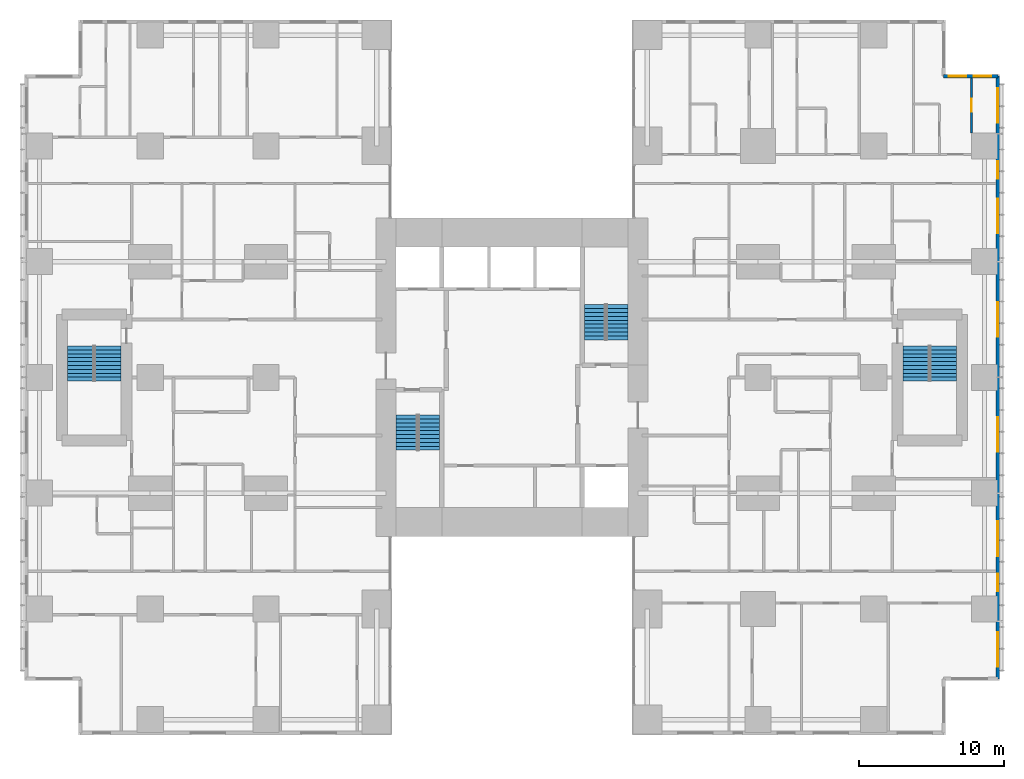
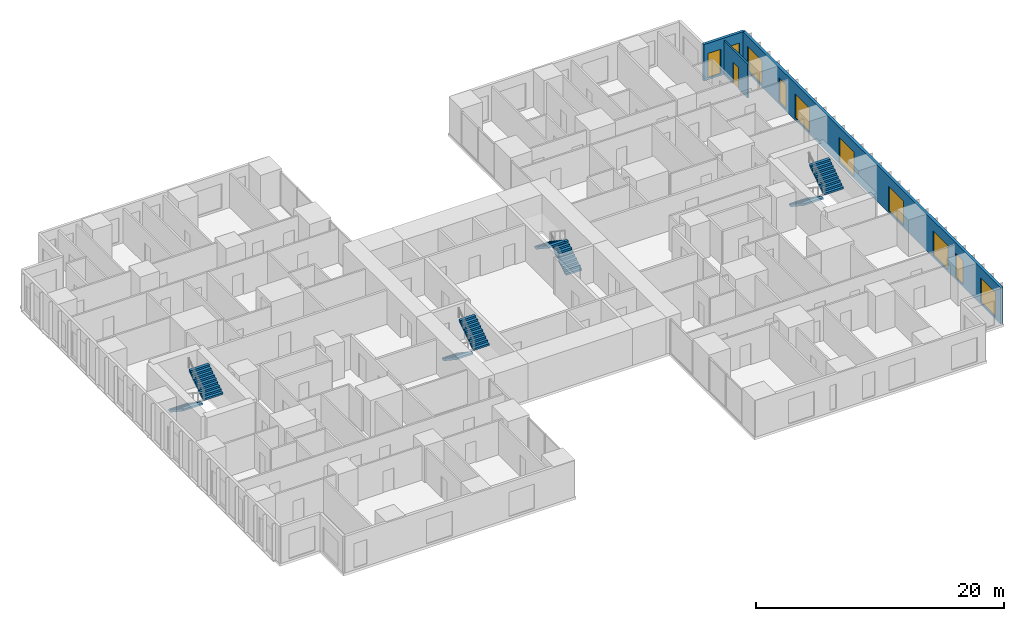
# One storey, part 19 of 20: 10 windows, 8 stair flights, 3 walls, 1 door, 11 openings, 4 elements without a shape of their own.
"""IFC4 building model written with IfcOpenShell, lengths in metres."""

from ifc_helpers import new_model, si_unit, direction, frame, frame_2d, origin, place, context, subcontext, project, spatial, polyline, rectangle, outline, extrude, material, layer, layer_set, type_object, element, fill, aggregate, save


model = new_model("IFC4")

# Units and contexts
model_context = context("Model", 3, precision=1e-05, world=origin(), true_north=direction((0.0, 1.0)))
body_context = subcontext(model_context, "Body", "Model", "MODEL_VIEW")
ifc_project = project(units=[si_unit("LENGTHUNIT", "METRE"), si_unit("AREAUNIT", "SQUARE_METRE"), si_unit("VOLUMEUNIT", "CUBIC_METRE"), si_unit("PLANEANGLEUNIT", "RADIAN"), si_unit("MASSUNIT", "GRAM", prefix="KILO")], contexts=[model_context])

# Site, building, storey
site_placement = place(None, origin())
site = spatial("IfcSite", under=ifc_project, at=site_placement, CompositionType="ELEMENT")
building_placement = place(site_placement, origin())
building = spatial("IfcBuilding", under=site, at=building_placement, Name="Cleftline Residences", CompositionType="ELEMENT")
storey_placement = place(building_placement, frame((0.0, 0.0, 196.60009765625)))
storey = spatial("IfcBuildingStorey", under=building, at=storey_placement, Name="L51", CompositionType="ELEMENT", Elevation=196.60009765625)

# Wall, openings, windows
ifc_material_1 = material(Name="Rendered reinforced concrete blockwork", Category="masonry")
ifc_layer_1 = layer(ifc_material_1, 0.25)
ifc_layer_set_1 = layer_set([ifc_layer_1], Name="EXTERNAL WALL 250")
wall_type_1 = type_object("IfcWallType", Name="EXTERNAL WALL 250", PredefinedType="SOLIDWALL", material=ifc_layer_set_1)
wall_1_placement = place(storey_placement, frame((66.574951171875, 3.175048828125, 0.0), z_axis=(0.0, 0.0, 1.0), x_axis=(0.0, 1.0, 0.0)))
wall_1 = element("IfcWall", 1, at=wall_1_placement, inside=storey, type_object=wall_type_1, Name="External wall", PredefinedType="SOLIDWALL", context=body_context, shape_type="SweptSolid", body=[
    extrude(rectangle(XDim=41.64990234375, YDim=0.25, at=frame_2d((20.824951171875, 0.0))), origin(), (0.0, 0.0, 1.0), 3.599853515625),
])
opening_1_placement = place(wall_1_placement, frame((0.824951171875, 0.0, 0.199951171875)))
opening_1 = element("IfcOpeningElement", 2, at=opening_1_placement, cuts=wall_1, Name="Opening W9", PredefinedType="OPENING", context=body_context, shape_type="SweptSolid", body=[
    extrude(rectangle(XDim=2.39990234375, YDim=2.39990234375, at=frame_2d((1.199951171875, 1.199951171875))), frame((0.0, 0.135009765625, 0.0), z_axis=(0.0, -1.0, 0.0), x_axis=(1.0, 0.0, 0.0)), (0.0, 0.0, 1.0), 0.27001953125),
])
opening_2_placement = place(wall_1_placement, frame((6.050048828125, 0.0, 0.199951171875)))
opening_2 = element("IfcOpeningElement", 3, at=opening_2_placement, cuts=wall_1, Name="Opening W13", PredefinedType="OPENING", context=body_context, shape_type="SweptSolid", body=[
    extrude(rectangle(XDim=1.199951171875, YDim=2.39990234375, at=frame_2d((0.60009765625, 1.199951171875))), frame((0.0, 0.135009765625, 0.0), z_axis=(0.0, -1.0, 0.0), x_axis=(1.0, 0.0, 0.0)), (0.0, 0.0, 1.0), 0.27001953125),
])
opening_3_placement = place(wall_1_placement, frame((8.47509765625, 0.0, 0.199951171875)))
opening_3 = element("IfcOpeningElement", 4, at=opening_3_placement, cuts=wall_1, Name="Opening W9", PredefinedType="OPENING", context=body_context, shape_type="SweptSolid", body=[
    extrude(rectangle(XDim=2.39990234375, YDim=2.39990234375, at=frame_2d((1.199951171875, 1.199951171875))), frame((0.0, 0.135009765625, 0.0), z_axis=(0.0, -1.0, 0.0), x_axis=(1.0, 0.0, 0.0)), (0.0, 0.0, 1.0), 0.27001953125),
])
opening_4_placement = place(wall_1_placement, frame((15.675048828125, 0.0, 0.199951171875)))
opening_4 = element("IfcOpeningElement", 5, at=opening_4_placement, cuts=wall_1, Name="Opening W9", PredefinedType="OPENING", context=body_context, shape_type="SweptSolid", body=[
    extrude(rectangle(XDim=2.39990234375, YDim=2.39990234375, at=frame_2d((1.199951171875, 1.199951171875))), frame((0.0, 0.135009765625, 0.0), z_axis=(0.0, -1.0, 0.0), x_axis=(1.0, 0.0, 0.0)), (0.0, 0.0, 1.0), 0.27001953125),
])
opening_5_placement = place(wall_1_placement, frame((23.625, 0.0, 0.199951171875)))
opening_5 = element("IfcOpeningElement", 6, at=opening_5_placement, cuts=wall_1, Name="Opening W9", PredefinedType="OPENING", context=body_context, shape_type="SweptSolid", body=[
    extrude(rectangle(XDim=2.39990234375, YDim=2.39990234375, at=frame_2d((1.199951171875, 1.199951171875))), frame((0.0, 0.135009765625, 0.0), z_axis=(0.0, -1.0, 0.0), x_axis=(1.0, 0.0, 0.0)), (0.0, 0.0, 1.0), 0.27001953125),
])
opening_6_placement = place(wall_1_placement, frame((30.77490234375, 0.0, 0.199951171875)))
opening_6 = element("IfcOpeningElement", 7, at=opening_6_placement, cuts=wall_1, Name="Opening W9", PredefinedType="OPENING", context=body_context, shape_type="SweptSolid", body=[
    extrude(rectangle(XDim=2.39990234375, YDim=2.39990234375, at=frame_2d((1.199951171875, 1.199951171875))), frame((0.0, 0.135009765625, 0.0), z_axis=(0.0, -1.0, 0.0), x_axis=(1.0, 0.0, 0.0)), (0.0, 0.0, 1.0), 0.27001953125),
])
opening_7_placement = place(wall_1_placement, frame((34.550048828125, 0.0, 0.199951171875)))
opening_7 = element("IfcOpeningElement", 8, at=opening_7_placement, cuts=wall_1, Name="Opening W13", PredefinedType="OPENING", context=body_context, shape_type="SweptSolid", body=[
    extrude(rectangle(XDim=1.199951171875, YDim=2.39990234375, at=frame_2d((0.60009765625, 1.199951171875))), frame((0.0, 0.135009765625, 0.0), z_axis=(0.0, -1.0, 0.0), x_axis=(1.0, 0.0, 0.0)), (0.0, 0.0, 1.0), 0.27001953125),
])
opening_8_placement = place(wall_1_placement, frame((38.425048828125, 0.0, 0.199951171875)))
opening_8 = element("IfcOpeningElement", 9, at=opening_8_placement, cuts=wall_1, Name="Opening W9", PredefinedType="OPENING", context=body_context, shape_type="SweptSolid", body=[
    extrude(rectangle(XDim=2.39990234375, YDim=2.39990234375, at=frame_2d((1.199951171875, 1.199951171875))), frame((0.0, 0.135009765625, 0.0), z_axis=(0.0, -1.0, 0.0), x_axis=(1.0, 0.0, 0.0)), (0.0, 0.0, 1.0), 0.27001953125),
])
ifc_material_2 = material(Name="Aluminium frame, clear double glazing", Category="aluminium")
window_type_1 = type_object("IfcWindowType", Name="WINDOW 1200X2400", PartitioningType="DOUBLE_PANEL_VERTICAL", PredefinedType="WINDOW", material=ifc_material_2)
window_1_placement = place(opening_2_placement, origin())
window_1 = element("IfcWindow", 10, at=window_1_placement, inside=storey, type_object=window_type_1, Name="Window", OverallHeight=2.39990234375, OverallWidth=1.199951171875, PartitioningType="SINGLE_PANEL", PredefinedType="WINDOW", context=body_context, shape_type="SweptSolid", body=[
    extrude(rectangle(XDim=1.199951171875, YDim=2.39990234375, at=frame_2d((0.60009765625, 1.199951171875))), frame((0.0, 0.030029296875, 0.0), z_axis=(0.0, -1.0, 0.0), x_axis=(1.0, 0.0, 0.0)), (0.0, 0.0, 1.0), 0.06005859375),
])
fill(opening_2, window_1)
window_2_placement = place(opening_7_placement, origin())
window_2 = element("IfcWindow", 11, at=window_2_placement, inside=storey, type_object=window_type_1, Name="Window", OverallHeight=2.39990234375, OverallWidth=1.199951171875, PartitioningType="SINGLE_PANEL", PredefinedType="WINDOW", context=body_context, shape_type="SweptSolid", body=[
    extrude(rectangle(XDim=1.199951171875, YDim=2.39990234375, at=frame_2d((0.60009765625, 1.199951171875))), frame((0.0, 0.030029296875, 0.0), z_axis=(0.0, -1.0, 0.0), x_axis=(1.0, 0.0, 0.0)), (0.0, 0.0, 1.0), 0.06005859375),
])
fill(opening_7, window_2)
ifc_material_3 = material(Name="Aluminium frame, clear double glazing", Category="aluminium")
window_type_2 = type_object("IfcWindowType", Name="WINDOW 2400X2400", PartitioningType="DOUBLE_PANEL_VERTICAL", PredefinedType="WINDOW", material=ifc_material_3)
window_3_placement = place(opening_1_placement, origin())
window_3 = element("IfcWindow", 12, at=window_3_placement, inside=storey, type_object=window_type_2, Name="Window", OverallHeight=2.39990234375, OverallWidth=2.39990234375, PartitioningType="SINGLE_PANEL", PredefinedType="WINDOW", context=body_context, shape_type="SweptSolid", body=[
    extrude(rectangle(XDim=2.39990234375, YDim=2.39990234375, at=frame_2d((1.199951171875, 1.199951171875))), frame((0.0, 0.030029296875, 0.0), z_axis=(0.0, -1.0, 0.0), x_axis=(1.0, 0.0, 0.0)), (0.0, 0.0, 1.0), 0.06005859375),
])
fill(opening_1, window_3)
window_4_placement = place(opening_3_placement, origin())
window_4 = element("IfcWindow", 13, at=window_4_placement, inside=storey, type_object=window_type_2, Name="Window", OverallHeight=2.39990234375, OverallWidth=2.39990234375, PartitioningType="SINGLE_PANEL", PredefinedType="WINDOW", context=body_context, shape_type="SweptSolid", body=[
    extrude(rectangle(XDim=2.39990234375, YDim=2.39990234375, at=frame_2d((1.199951171875, 1.199951171875))), frame((0.0, 0.030029296875, 0.0), z_axis=(0.0, -1.0, 0.0), x_axis=(1.0, 0.0, 0.0)), (0.0, 0.0, 1.0), 0.06005859375),
])
fill(opening_3, window_4)
window_5_placement = place(opening_4_placement, origin())
window_5 = element("IfcWindow", 14, at=window_5_placement, inside=storey, type_object=window_type_2, Name="Window", OverallHeight=2.39990234375, OverallWidth=2.39990234375, PartitioningType="SINGLE_PANEL", PredefinedType="WINDOW", context=body_context, shape_type="SweptSolid", body=[
    extrude(rectangle(XDim=2.39990234375, YDim=2.39990234375, at=frame_2d((1.199951171875, 1.199951171875))), frame((0.0, 0.030029296875, 0.0), z_axis=(0.0, -1.0, 0.0), x_axis=(1.0, 0.0, 0.0)), (0.0, 0.0, 1.0), 0.06005859375),
])
fill(opening_4, window_5)
window_6_placement = place(opening_5_placement, origin())
window_6 = element("IfcWindow", 15, at=window_6_placement, inside=storey, type_object=window_type_2, Name="Window", OverallHeight=2.39990234375, OverallWidth=2.39990234375, PartitioningType="SINGLE_PANEL", PredefinedType="WINDOW", context=body_context, shape_type="SweptSolid", body=[
    extrude(rectangle(XDim=2.39990234375, YDim=2.39990234375, at=frame_2d((1.199951171875, 1.199951171875))), frame((0.0, 0.030029296875, 0.0), z_axis=(0.0, -1.0, 0.0), x_axis=(1.0, 0.0, 0.0)), (0.0, 0.0, 1.0), 0.06005859375),
])
fill(opening_5, window_6)
window_7_placement = place(opening_6_placement, origin())
window_7 = element("IfcWindow", 16, at=window_7_placement, inside=storey, type_object=window_type_2, Name="Window", OverallHeight=2.39990234375, OverallWidth=2.39990234375, PartitioningType="SINGLE_PANEL", PredefinedType="WINDOW", context=body_context, shape_type="SweptSolid", body=[
    extrude(rectangle(XDim=2.39990234375, YDim=2.39990234375, at=frame_2d((1.199951171875, 1.199951171875))), frame((0.0, 0.030029296875, 0.0), z_axis=(0.0, -1.0, 0.0), x_axis=(1.0, 0.0, 0.0)), (0.0, 0.0, 1.0), 0.06005859375),
])
fill(opening_6, window_7)
window_8_placement = place(opening_8_placement, origin())
window_8 = element("IfcWindow", 17, at=window_8_placement, inside=storey, type_object=window_type_2, Name="Window", OverallHeight=2.39990234375, OverallWidth=2.39990234375, PartitioningType="SINGLE_PANEL", PredefinedType="WINDOW", context=body_context, shape_type="SweptSolid", body=[
    extrude(rectangle(XDim=2.39990234375, YDim=2.39990234375, at=frame_2d((1.199951171875, 1.199951171875))), frame((0.0, 0.030029296875, 0.0), z_axis=(0.0, -1.0, 0.0), x_axis=(1.0, 0.0, 0.0)), (0.0, 0.0, 1.0), 0.06005859375),
])
fill(opening_8, window_8)

wall_2_placement = place(storey_placement, frame((66.574951171875, 44.824951171875, 0.0), z_axis=(0.0, 0.0, 1.0), x_axis=(-1.0, 0.0, 0.0)))
wall_2 = element("IfcWall", 18, at=wall_2_placement, inside=storey, type_object=wall_type_1, Name="External wall", PredefinedType="SOLIDWALL", context=body_context, shape_type="SweptSolid", body=[
    extrude(rectangle(XDim=3.75, YDim=0.25, at=frame_2d((1.875, 0.0))), origin(), (0.0, 0.0, 1.0), 3.599853515625),
])
opening_9_placement = place(wall_2_placement, frame((0.449951171875, 0.0, 0.199951171875)))
opening_9 = element("IfcOpeningElement", 19, at=opening_9_placement, cuts=wall_2, Name="Opening W13", PredefinedType="OPENING", context=body_context, shape_type="SweptSolid", body=[
    extrude(rectangle(XDim=1.199951171875, YDim=2.39990234375, at=frame_2d((0.60009765625, 1.199951171875))), frame((0.0, 0.135009765625, 0.0), z_axis=(0.0, -1.0, 0.0), x_axis=(1.0, 0.0, 0.0)), (0.0, 0.0, 1.0), 0.27001953125),
])
opening_10_placement = place(wall_2_placement, frame((2.1875, 0.0, 0.199951171875)))
opening_10 = element("IfcOpeningElement", 20, at=opening_10_placement, cuts=wall_2, Name="Opening W13", PredefinedType="OPENING", context=body_context, shape_type="SweptSolid", body=[
    extrude(rectangle(XDim=1.199951171875, YDim=2.39990234375, at=frame_2d((0.60009765625, 1.199951171875))), frame((0.0, 0.135009765625, 0.0), z_axis=(0.0, -1.0, 0.0), x_axis=(1.0, 0.0, 0.0)), (0.0, 0.0, 1.0), 0.27001953125),
])
window_9_placement = place(opening_9_placement, origin())
window_9 = element("IfcWindow", 21, at=window_9_placement, inside=storey, type_object=window_type_1, Name="Window", OverallHeight=2.39990234375, OverallWidth=1.199951171875, PartitioningType="SINGLE_PANEL", PredefinedType="WINDOW", context=body_context, shape_type="SweptSolid", body=[
    extrude(rectangle(XDim=1.199951171875, YDim=2.39990234375, at=frame_2d((0.60009765625, 1.199951171875))), frame((0.0, 0.030029296875, 0.0), z_axis=(0.0, -1.0, 0.0), x_axis=(1.0, 0.0, 0.0)), (0.0, 0.0, 1.0), 0.06005859375),
])
fill(opening_9, window_9)
window_10_placement = place(opening_10_placement, origin())
window_10 = element("IfcWindow", 22, at=window_10_placement, inside=storey, type_object=window_type_1, Name="Window", OverallHeight=2.39990234375, OverallWidth=1.199951171875, PartitioningType="SINGLE_PANEL", PredefinedType="WINDOW", context=body_context, shape_type="SweptSolid", body=[
    extrude(rectangle(XDim=1.199951171875, YDim=2.39990234375, at=frame_2d((0.60009765625, 1.199951171875))), frame((0.0, 0.030029296875, 0.0), z_axis=(0.0, -1.0, 0.0), x_axis=(1.0, 0.0, 0.0)), (0.0, 0.0, 1.0), 0.06005859375),
])
fill(opening_10, window_10)

# Wall, opening, door
ifc_material_4 = material(Name="Gypsum board on steel studs", Category="steel")
ifc_layer_2 = layer(ifc_material_4, 0.14990234375)
ifc_layer_set_2 = layer_set([ifc_layer_2], Name="PARTITION 150")
wall_type_2 = type_object("IfcWallType", Name="PARTITION 150", PredefinedType="PARTITIONING", material=ifc_layer_set_2)
wall_3_placement = place(storey_placement, frame((64.75, 40.89990234375, 0.0), z_axis=(0.0, 0.0, 1.0), x_axis=(0.0, 1.0, 0.0)))
wall_3 = element("IfcWall", 23, at=wall_3_placement, inside=storey, type_object=wall_type_2, Name="Partition", PredefinedType="PARTITIONING", context=body_context, shape_type="SweptSolid", body=[
    extrude(rectangle(XDim=3.800048828125, YDim=0.14990234375, at=frame_2d((1.89990234375, 0.0))), origin(), (0.0, 0.0, 1.0), 3.349853515625),
])
opening_11_placement = place(wall_3_placement, frame((1.449951171875, 0.0, 0.0)))
opening_11 = element("IfcOpeningElement", 24, at=opening_11_placement, cuts=wall_3, Name="Opening D1", PredefinedType="OPENING", context=body_context, shape_type="SweptSolid", body=[
    extrude(rectangle(XDim=0.89990234375, YDim=2.10009765625, at=frame_2d((0.449951171875, 1.050048828125))), frame((0.0, 0.0849609375, 0.0), z_axis=(0.0, -1.0, 0.0), x_axis=(1.0, 0.0, 0.0)), (0.0, 0.0, 1.0), 0.169921875),
])
ifc_material_5 = material(Name="Timber veneer on solid core", Category="wood")
door_type = type_object("IfcDoorType", Name="DOOR 900X2100", OperationType="SINGLE_SWING_LEFT", PredefinedType="DOOR", material=ifc_material_5)
door_placement = place(opening_11_placement, origin())
door = element("IfcDoor", 25, at=door_placement, inside=storey, type_object=door_type, Name="Door to walk-in wardrobe", OperationType="SINGLE_SWING_LEFT", OverallHeight=2.10009765625, OverallWidth=0.89990234375, PredefinedType="DOOR", context=body_context, shape_type="SweptSolid", body=[
    extrude(rectangle(XDim=0.89990234375, YDim=2.10009765625, at=frame_2d((0.449951171875, 1.050048828125))), frame((0.0, 0.02490234375, 0.0), z_axis=(0.0, -1.0, 0.0), x_axis=(1.0, 0.0, 0.0)), (0.0, 0.0, 1.0), 0.050048828125),
])
fill(opening_11, door)

# Stair, stair flights
ifc_material_6 = material(Name="Concrete B45, stone treads", Category="masonry")
stair_type_1 = type_object("IfcStairType", Name="STAIR A 1450 WIDE 180 RISER", PredefinedType="HALF_TURN_STAIR", material=ifc_material_6)
stair_1_placement = place(storey_placement, origin())
stair_1 = element("IfcStair", 26, at=stair_1_placement, inside=storey, type_object=stair_type_1, Name="Stair A L51", PredefinedType="HALF_TURN_STAIR")
ifc_material_7 = material(Name="Concrete B45", Category="concrete")
stair_flight_type_1 = type_object("IfcStairFlightType", Name="STAIR A FLIGHT 1450X180", PredefinedType="STRAIGHT", material=ifc_material_7)
stair_flight_1_placement = place(storey_placement, frame((25.72509765625, 21.39990234375, 0.0), z_axis=(0.0, 0.0, 1.0), x_axis=(0.0, -1.0, 0.0)))
stair_flight_1 = element("IfcStairFlight", 27, at=stair_flight_1_placement, type_object=stair_flight_type_1, Name="ST-A flight 1", NumberOfRisers=10, NumberOfTreads=9, PredefinedType="STRAIGHT", RiserHeight=0.18, TreadLength=0.27, context=body_context, shape_type="SweptSolid", body=[
    extrude(outline(polyline([(0.0, 0.0), (0.0, 0.013916015625), (0.0, 0.027587890625), (0.0, 0.04150390625), (0.0, 0.055419921875), (0.0, 0.0693359375), (0.0, 0.0830078125), (0.0, 0.096923828125), (0.0, 0.11083984375), (0.0, 0.12451171875), (0.0, 0.138427734375), (0.0, 0.15234375), (0.0, 0.166259765625), (0.0, 0.179931640625), (0.27001953125, 0.179931640625), (0.27001953125, 0.360107421875), (0.5400390625, 0.360107421875), (0.5400390625, 0.5400390625), (0.81005859375, 0.5400390625), (0.81005859375, 0.719970703125), (1.080078125, 0.719970703125), (1.080078125, 0.89990234375), (1.35009765625, 0.89990234375), (1.35009765625, 1.080078125), (1.6201171875, 1.080078125), (1.6201171875, 1.260009765625), (1.889892578125, 1.260009765625), (1.889892578125, 1.43994140625), (2.159912109375, 1.43994140625), (2.159912109375, 1.6201171875), (2.429931640625, 1.6201171875), (2.429931640625, 1.800048828125), (2.429931640625, 1.772216796875), (2.429931640625, 1.74462890625), (2.429931640625, 1.716796875), (2.429931640625, 1.689208984375), (2.429931640625, 1.661376953125), (2.429931640625, 1.6337890625), (2.429931640625, 1.60595703125), (2.429931640625, 1.578369140625), (2.429931640625, 1.550537109375), (2.429931640625, 1.52294921875), (2.429931640625, 1.495361328125), (2.429931640625, 1.467529296875), (2.429931640625, 1.43994140625), (0.270263671875, 0.0), (0.0, 0.0)])), frame((0.0, 0.72509765625, 0.0), z_axis=(0.0, -1.0, 0.0), x_axis=(1.0, 0.0, 0.0)), (0.0, 0.0, 1.0), 1.449951171875),
])
stair_flight_2_placement = place(storey_placement, frame((27.27490234375, 18.969970703125, 1.7998046875), z_axis=(0.0, 0.0, 1.0), x_axis=(0.0, 1.0, 0.0)))
stair_flight_2 = element("IfcStairFlight", 28, at=stair_flight_2_placement, type_object=stair_flight_type_1, Name="ST-A flight 2", NumberOfRisers=10, NumberOfTreads=9, PredefinedType="STRAIGHT", RiserHeight=0.18, TreadLength=0.27, context=body_context, shape_type="SweptSolid", body=[
    extrude(outline(polyline([(0.0, 0.0), (0.0, 0.013916015625), (0.0, 0.027587890625), (0.0, 0.04150390625), (0.0, 0.055419921875), (0.0, 0.0693359375), (0.0, 0.0830078125), (0.0, 0.096923828125), (0.0, 0.11083984375), (0.0, 0.12451171875), (0.0, 0.138427734375), (0.0, 0.15234375), (0.0, 0.166259765625), (0.0, 0.179931640625), (0.27001953125, 0.179931640625), (0.27001953125, 0.360107421875), (0.5400390625, 0.360107421875), (0.5400390625, 0.5400390625), (0.81005859375, 0.5400390625), (0.81005859375, 0.719970703125), (1.080078125, 0.719970703125), (1.080078125, 0.89990234375), (1.35009765625, 0.89990234375), (1.35009765625, 1.080078125), (1.6201171875, 1.080078125), (1.6201171875, 1.260009765625), (1.889892578125, 1.260009765625), (1.889892578125, 1.43994140625), (2.159912109375, 1.43994140625), (2.159912109375, 1.6201171875), (2.429931640625, 1.6201171875), (2.429931640625, 1.800048828125), (2.429931640625, 1.772216796875), (2.429931640625, 1.74462890625), (2.429931640625, 1.716796875), (2.429931640625, 1.689208984375), (2.429931640625, 1.661376953125), (2.429931640625, 1.6337890625), (2.429931640625, 1.60595703125), (2.429931640625, 1.578369140625), (2.429931640625, 1.550537109375), (2.429931640625, 1.52294921875), (2.429931640625, 1.495361328125), (2.429931640625, 1.467529296875), (2.429931640625, 1.43994140625), (0.270263671875, 0.0), (0.0, 0.0)])), frame((0.0, 0.72509765625, 0.0), z_axis=(0.0, -1.0, 0.0), x_axis=(1.0, 0.0, 0.0)), (0.0, 0.0, 1.0), 1.449951171875),
])
aggregate(stair_1, [stair_flight_1, stair_flight_2])

ifc_material_8 = material(Name="Concrete B45, stone treads", Category="masonry")
stair_type_2 = type_object("IfcStairType", Name="STAIR B 1450 WIDE 180 RISER", PredefinedType="HALF_TURN_STAIR", material=ifc_material_8)
stair_2_placement = place(storey_placement, origin())
stair_2 = element("IfcStair", 29, at=stair_2_placement, inside=storey, type_object=stair_type_2, Name="Stair B L51", PredefinedType="HALF_TURN_STAIR")
ifc_material_9 = material(Name="Concrete B45", Category="concrete")
stair_flight_type_2 = type_object("IfcStairFlightType", Name="STAIR B FLIGHT 1450X180", PredefinedType="STRAIGHT", material=ifc_material_9)
stair_flight_3_placement = place(storey_placement, frame((40.27490234375, 26.60009765625, 0.0), z_axis=(0.0, 0.0, 1.0), x_axis=(0.0, 1.0, 0.0)))
stair_flight_3 = element("IfcStairFlight", 30, at=stair_flight_3_placement, type_object=stair_flight_type_2, Name="ST-B flight 1", NumberOfRisers=10, NumberOfTreads=9, PredefinedType="STRAIGHT", RiserHeight=0.18, TreadLength=0.27, context=body_context, shape_type="SweptSolid", body=[
    extrude(outline(polyline([(0.0, 0.0), (0.0, 0.013916015625), (0.0, 0.027587890625), (0.0, 0.04150390625), (0.0, 0.055419921875), (0.0, 0.0693359375), (0.0, 0.0830078125), (0.0, 0.096923828125), (0.0, 0.11083984375), (0.0, 0.12451171875), (0.0, 0.138427734375), (0.0, 0.15234375), (0.0, 0.166259765625), (0.0, 0.179931640625), (0.27001953125, 0.179931640625), (0.27001953125, 0.360107421875), (0.5400390625, 0.360107421875), (0.5400390625, 0.5400390625), (0.81005859375, 0.5400390625), (0.81005859375, 0.719970703125), (1.080078125, 0.719970703125), (1.080078125, 0.89990234375), (1.35009765625, 0.89990234375), (1.35009765625, 1.080078125), (1.6201171875, 1.080078125), (1.6201171875, 1.260009765625), (1.889892578125, 1.260009765625), (1.889892578125, 1.43994140625), (2.159912109375, 1.43994140625), (2.159912109375, 1.6201171875), (2.429931640625, 1.6201171875), (2.429931640625, 1.800048828125), (2.429931640625, 1.772216796875), (2.429931640625, 1.74462890625), (2.429931640625, 1.716796875), (2.429931640625, 1.689208984375), (2.429931640625, 1.661376953125), (2.429931640625, 1.6337890625), (2.429931640625, 1.60595703125), (2.429931640625, 1.578369140625), (2.429931640625, 1.550537109375), (2.429931640625, 1.52294921875), (2.429931640625, 1.495361328125), (2.429931640625, 1.467529296875), (2.429931640625, 1.43994140625), (0.270263671875, 0.0), (0.0, 0.0)])), frame((0.0, 0.72509765625, 0.0), z_axis=(0.0, -1.0, 0.0), x_axis=(1.0, 0.0, 0.0)), (0.0, 0.0, 1.0), 1.449951171875),
])
stair_flight_4_placement = place(storey_placement, frame((38.72509765625, 29.030029296875, 1.7998046875), z_axis=(0.0, 0.0, 1.0), x_axis=(0.0, -1.0, 0.0)))
stair_flight_4 = element("IfcStairFlight", 31, at=stair_flight_4_placement, type_object=stair_flight_type_2, Name="ST-B flight 2", NumberOfRisers=10, NumberOfTreads=9, PredefinedType="STRAIGHT", RiserHeight=0.18, TreadLength=0.27, context=body_context, shape_type="SweptSolid", body=[
    extrude(outline(polyline([(0.0, 0.0), (0.0, 0.013916015625), (0.0, 0.027587890625), (0.0, 0.04150390625), (0.0, 0.055419921875), (0.0, 0.0693359375), (0.0, 0.0830078125), (0.0, 0.096923828125), (0.0, 0.11083984375), (0.0, 0.12451171875), (0.0, 0.138427734375), (0.0, 0.15234375), (0.0, 0.166259765625), (0.0, 0.179931640625), (0.27001953125, 0.179931640625), (0.27001953125, 0.360107421875), (0.5400390625, 0.360107421875), (0.5400390625, 0.5400390625), (0.81005859375, 0.5400390625), (0.81005859375, 0.719970703125), (1.080078125, 0.719970703125), (1.080078125, 0.89990234375), (1.35009765625, 0.89990234375), (1.35009765625, 1.080078125), (1.6201171875, 1.080078125), (1.6201171875, 1.260009765625), (1.889892578125, 1.260009765625), (1.889892578125, 1.43994140625), (2.159912109375, 1.43994140625), (2.159912109375, 1.6201171875), (2.429931640625, 1.6201171875), (2.429931640625, 1.800048828125), (2.429931640625, 1.772216796875), (2.429931640625, 1.74462890625), (2.429931640625, 1.716796875), (2.429931640625, 1.689208984375), (2.429931640625, 1.661376953125), (2.429931640625, 1.6337890625), (2.429931640625, 1.60595703125), (2.429931640625, 1.578369140625), (2.429931640625, 1.550537109375), (2.429931640625, 1.52294921875), (2.429931640625, 1.495361328125), (2.429931640625, 1.467529296875), (2.429931640625, 1.43994140625), (0.270263671875, 0.0), (0.0, 0.0)])), frame((0.0, 0.72509765625, 0.0), z_axis=(0.0, -1.0, 0.0), x_axis=(1.0, 0.0, 0.0)), (0.0, 0.0, 1.0), 1.449951171875),
])
aggregate(stair_2, [stair_flight_3, stair_flight_4])

ifc_material_10 = material(Name="Concrete B45, stone treads", Category="masonry")
stair_type_3 = type_object("IfcStairType", Name="STAIR E 1800 WIDE 180 RISER", PredefinedType="HALF_TURN_STAIR", material=ifc_material_10)
stair_3_placement = place(storey_placement, origin())
stair_3 = element("IfcStair", 32, at=stair_3_placement, inside=storey, type_object=stair_type_3, Name="Stair E L51", PredefinedType="HALF_TURN_STAIR")
ifc_material_11 = material(Name="Concrete B45", Category="concrete")
stair_flight_type_3 = type_object("IfcStairFlightType", Name="STAIR E FLIGHT 1800X180", PredefinedType="STRAIGHT", material=ifc_material_11)
stair_flight_5_placement = place(storey_placement, frame((60.925048828125, 26.175048828125, 0.0), z_axis=(0.0, 0.0, 1.0), x_axis=(0.0, -1.0, 0.0)))
stair_flight_5 = element("IfcStairFlight", 33, at=stair_flight_5_placement, type_object=stair_flight_type_3, Name="ST-E flight 1", NumberOfRisers=10, NumberOfTreads=9, PredefinedType="STRAIGHT", RiserHeight=0.18, TreadLength=0.27, context=body_context, shape_type="SweptSolid", body=[
    extrude(outline(polyline([(0.0, 0.0), (0.0, 0.013916015625), (0.0, 0.027587890625), (0.0, 0.04150390625), (0.0, 0.055419921875), (0.0, 0.0693359375), (0.0, 0.0830078125), (0.0, 0.096923828125), (0.0, 0.11083984375), (0.0, 0.12451171875), (0.0, 0.138427734375), (0.0, 0.15234375), (0.0, 0.166259765625), (0.0, 0.179931640625), (0.27001953125, 0.179931640625), (0.27001953125, 0.360107421875), (0.5400390625, 0.360107421875), (0.5400390625, 0.5400390625), (0.81005859375, 0.5400390625), (0.81005859375, 0.719970703125), (1.080078125, 0.719970703125), (1.080078125, 0.89990234375), (1.35009765625, 0.89990234375), (1.35009765625, 1.080078125), (1.6201171875, 1.080078125), (1.6201171875, 1.260009765625), (1.889892578125, 1.260009765625), (1.889892578125, 1.43994140625), (2.159912109375, 1.43994140625), (2.159912109375, 1.6201171875), (2.429931640625, 1.6201171875), (2.429931640625, 1.800048828125), (2.429931640625, 1.772216796875), (2.429931640625, 1.74462890625), (2.429931640625, 1.716796875), (2.429931640625, 1.689208984375), (2.429931640625, 1.661376953125), (2.429931640625, 1.6337890625), (2.429931640625, 1.60595703125), (2.429931640625, 1.578369140625), (2.429931640625, 1.550537109375), (2.429931640625, 1.52294921875), (2.429931640625, 1.495361328125), (2.429931640625, 1.467529296875), (2.429931640625, 1.43994140625), (0.270263671875, 0.0), (0.0, 0.0)])), frame((0.0, 0.89990234375, 0.0), z_axis=(0.0, -1.0, 0.0), x_axis=(1.0, 0.0, 0.0)), (0.0, 0.0, 1.0), 1.800048828125),
])
stair_flight_6_placement = place(storey_placement, frame((62.824951171875, 23.7451171875, 1.7998046875), z_axis=(0.0, 0.0, 1.0), x_axis=(0.0, 1.0, 0.0)))
stair_flight_6 = element("IfcStairFlight", 34, at=stair_flight_6_placement, type_object=stair_flight_type_3, Name="ST-E flight 2", NumberOfRisers=10, NumberOfTreads=9, PredefinedType="STRAIGHT", RiserHeight=0.18, TreadLength=0.27, context=body_context, shape_type="SweptSolid", body=[
    extrude(outline(polyline([(0.0, 0.0), (0.0, 0.013916015625), (0.0, 0.027587890625), (0.0, 0.04150390625), (0.0, 0.055419921875), (0.0, 0.0693359375), (0.0, 0.0830078125), (0.0, 0.096923828125), (0.0, 0.11083984375), (0.0, 0.12451171875), (0.0, 0.138427734375), (0.0, 0.15234375), (0.0, 0.166259765625), (0.0, 0.179931640625), (0.27001953125, 0.179931640625), (0.27001953125, 0.360107421875), (0.5400390625, 0.360107421875), (0.5400390625, 0.5400390625), (0.81005859375, 0.5400390625), (0.81005859375, 0.719970703125), (1.080078125, 0.719970703125), (1.080078125, 0.89990234375), (1.35009765625, 0.89990234375), (1.35009765625, 1.080078125), (1.6201171875, 1.080078125), (1.6201171875, 1.260009765625), (1.889892578125, 1.260009765625), (1.889892578125, 1.43994140625), (2.159912109375, 1.43994140625), (2.159912109375, 1.6201171875), (2.429931640625, 1.6201171875), (2.429931640625, 1.800048828125), (2.429931640625, 1.772216796875), (2.429931640625, 1.74462890625), (2.429931640625, 1.716796875), (2.429931640625, 1.689208984375), (2.429931640625, 1.661376953125), (2.429931640625, 1.6337890625), (2.429931640625, 1.60595703125), (2.429931640625, 1.578369140625), (2.429931640625, 1.550537109375), (2.429931640625, 1.52294921875), (2.429931640625, 1.495361328125), (2.429931640625, 1.467529296875), (2.429931640625, 1.43994140625), (0.270263671875, 0.0), (0.0, 0.0)])), frame((0.0, 0.89990234375, 0.0), z_axis=(0.0, -1.0, 0.0), x_axis=(1.0, 0.0, 0.0)), (0.0, 0.0, 1.0), 1.800048828125),
])
aggregate(stair_3, [stair_flight_5, stair_flight_6])

ifc_material_12 = material(Name="Concrete B45, stone treads", Category="masonry")
stair_type_4 = type_object("IfcStairType", Name="STAIR W 1800 WIDE 180 RISER", PredefinedType="HALF_TURN_STAIR", material=ifc_material_12)
stair_4_placement = place(storey_placement, origin())
stair_4 = element("IfcStair", 35, at=stair_4_placement, inside=storey, type_object=stair_type_4, Name="Stair W L51", PredefinedType="HALF_TURN_STAIR")
ifc_material_13 = material(Name="Concrete B45", Category="concrete")
stair_flight_type_4 = type_object("IfcStairFlightType", Name="STAIR W FLIGHT 1800X180", PredefinedType="STRAIGHT", material=ifc_material_13)
stair_flight_7_placement = place(storey_placement, frame((3.175048828125, 26.175048828125, 0.0), z_axis=(0.0, 0.0, 1.0), x_axis=(0.0, -1.0, 0.0)))
stair_flight_7 = element("IfcStairFlight", 36, at=stair_flight_7_placement, type_object=stair_flight_type_4, Name="ST-W flight 1", NumberOfRisers=10, NumberOfTreads=9, PredefinedType="STRAIGHT", RiserHeight=0.18, TreadLength=0.27, context=body_context, shape_type="SweptSolid", body=[
    extrude(outline(polyline([(0.0, 0.0), (0.0, 0.013916015625), (0.0, 0.027587890625), (0.0, 0.04150390625), (0.0, 0.055419921875), (0.0, 0.0693359375), (0.0, 0.0830078125), (0.0, 0.096923828125), (0.0, 0.11083984375), (0.0, 0.12451171875), (0.0, 0.138427734375), (0.0, 0.15234375), (0.0, 0.166259765625), (0.0, 0.179931640625), (0.27001953125, 0.179931640625), (0.27001953125, 0.360107421875), (0.5400390625, 0.360107421875), (0.5400390625, 0.5400390625), (0.81005859375, 0.5400390625), (0.81005859375, 0.719970703125), (1.080078125, 0.719970703125), (1.080078125, 0.89990234375), (1.35009765625, 0.89990234375), (1.35009765625, 1.080078125), (1.6201171875, 1.080078125), (1.6201171875, 1.260009765625), (1.889892578125, 1.260009765625), (1.889892578125, 1.43994140625), (2.159912109375, 1.43994140625), (2.159912109375, 1.6201171875), (2.429931640625, 1.6201171875), (2.429931640625, 1.800048828125), (2.429931640625, 1.772216796875), (2.429931640625, 1.74462890625), (2.429931640625, 1.716796875), (2.429931640625, 1.689208984375), (2.429931640625, 1.661376953125), (2.429931640625, 1.6337890625), (2.429931640625, 1.60595703125), (2.429931640625, 1.578369140625), (2.429931640625, 1.550537109375), (2.429931640625, 1.52294921875), (2.429931640625, 1.495361328125), (2.429931640625, 1.467529296875), (2.429931640625, 1.43994140625), (0.270263671875, 0.0), (0.0, 0.0)])), frame((0.0, 0.89990234375, 0.0), z_axis=(0.0, -1.0, 0.0), x_axis=(1.0, 0.0, 0.0)), (0.0, 0.0, 1.0), 1.800048828125),
])
stair_flight_8_placement = place(storey_placement, frame((5.074951171875, 23.7451171875, 1.7998046875), z_axis=(0.0, 0.0, 1.0), x_axis=(0.0, 1.0, 0.0)))
stair_flight_8 = element("IfcStairFlight", 37, at=stair_flight_8_placement, type_object=stair_flight_type_4, Name="ST-W flight 2", NumberOfRisers=10, NumberOfTreads=9, PredefinedType="STRAIGHT", RiserHeight=0.18, TreadLength=0.27, context=body_context, shape_type="SweptSolid", body=[
    extrude(outline(polyline([(0.0, 0.0), (0.0, 0.013916015625), (0.0, 0.027587890625), (0.0, 0.04150390625), (0.0, 0.055419921875), (0.0, 0.0693359375), (0.0, 0.0830078125), (0.0, 0.096923828125), (0.0, 0.11083984375), (0.0, 0.12451171875), (0.0, 0.138427734375), (0.0, 0.15234375), (0.0, 0.166259765625), (0.0, 0.179931640625), (0.27001953125, 0.179931640625), (0.27001953125, 0.360107421875), (0.5400390625, 0.360107421875), (0.5400390625, 0.5400390625), (0.81005859375, 0.5400390625), (0.81005859375, 0.719970703125), (1.080078125, 0.719970703125), (1.080078125, 0.89990234375), (1.35009765625, 0.89990234375), (1.35009765625, 1.080078125), (1.6201171875, 1.080078125), (1.6201171875, 1.260009765625), (1.889892578125, 1.260009765625), (1.889892578125, 1.43994140625), (2.159912109375, 1.43994140625), (2.159912109375, 1.6201171875), (2.429931640625, 1.6201171875), (2.429931640625, 1.800048828125), (2.429931640625, 1.772216796875), (2.429931640625, 1.74462890625), (2.429931640625, 1.716796875), (2.429931640625, 1.689208984375), (2.429931640625, 1.661376953125), (2.429931640625, 1.6337890625), (2.429931640625, 1.60595703125), (2.429931640625, 1.578369140625), (2.429931640625, 1.550537109375), (2.429931640625, 1.52294921875), (2.429931640625, 1.495361328125), (2.429931640625, 1.467529296875), (2.429931640625, 1.43994140625), (0.270263671875, 0.0), (0.0, 0.0)])), frame((0.0, 0.89990234375, 0.0), z_axis=(0.0, -1.0, 0.0), x_axis=(1.0, 0.0, 0.0)), (0.0, 0.0, 1.0), 1.800048828125),
])
aggregate(stair_4, [stair_flight_7, stair_flight_8])

save(model, "model.ifc")
